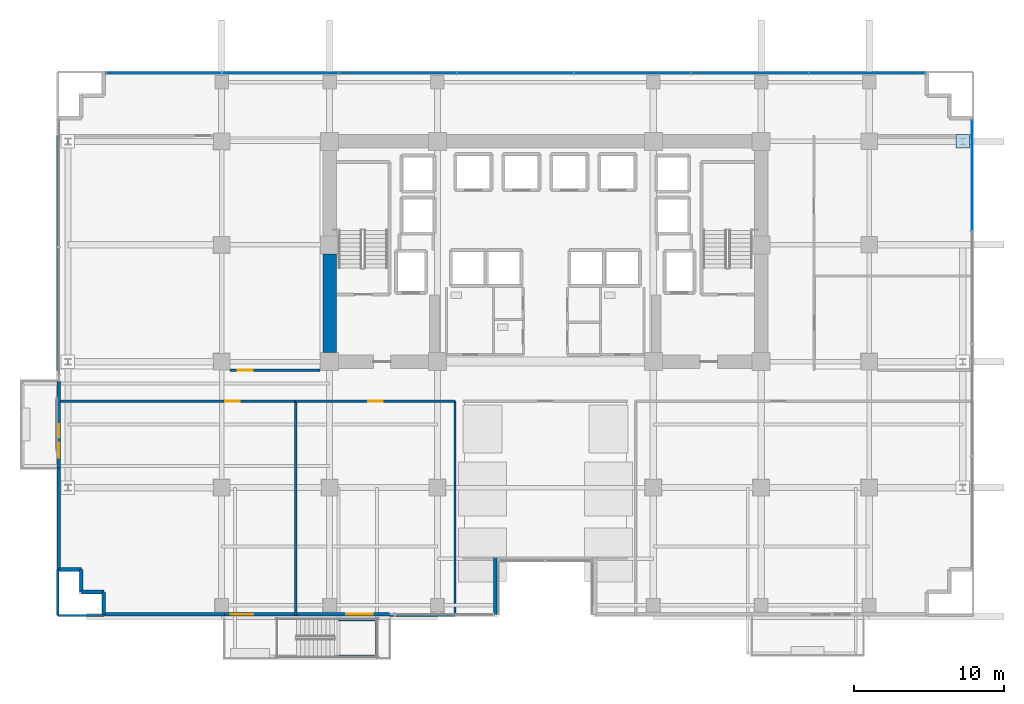
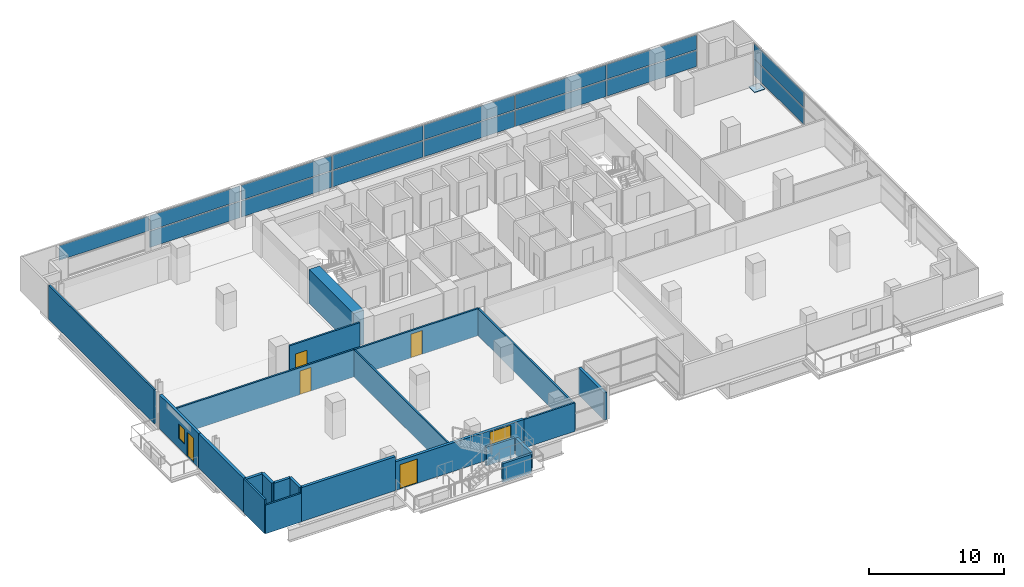
# One storey, part 24 of 32: 22 walls, 16 plates, 5 doors, 2 windows, 7 openings, 2 elements without a shape of their own.
"""IFC4 building model written with IfcOpenShell, lengths in metres."""

from ifc_helpers import new_model, si_unit, direction, frame, frame_2d, origin, origin_2d, place, context, subcontext, project, spatial, rectangle, extrude, source, transform, mapped, material, layer, layer_set, type_object, element, fill, aggregate, save


model = new_model("IFC4")

# Units and contexts
model_context = context("Model", 3, precision=1e-05, world=origin(), true_north=direction((0.0, 1.0)))
body_context = subcontext(model_context, "Body", "Model", "MODEL_VIEW")
ifc_project = project(units=[si_unit("LENGTHUNIT", "METRE"), si_unit("AREAUNIT", "SQUARE_METRE"), si_unit("VOLUMEUNIT", "CUBIC_METRE"), si_unit("PLANEANGLEUNIT", "RADIAN"), si_unit("MASSUNIT", "GRAM", prefix="KILO")], contexts=[model_context])

# Site, building, storey
site_placement = place(None, origin())
site = spatial("IfcSite", under=ifc_project, at=site_placement, CompositionType="ELEMENT")
building_placement = place(site_placement, origin())
building = spatial("IfcBuilding", under=site, at=building_placement, Name="Zarnakvel Exchange Tower", CompositionType="ELEMENT")
storey_placement = place(building_placement, frame((0.0, 0.0, 27.39990234375)))
storey = spatial("IfcBuildingStorey", under=building, at=storey_placement, Name="L06", CompositionType="ELEMENT", Elevation=27.39990234375)

# Plate
ifc_material_1 = material(Name="Steel S355", Category="steel")
ifc_layer_1 = layer(ifc_material_1, 0.0380859375)
ifc_layer_set_1 = layer_set([ifc_layer_1], Name="Steel S355")
plate_type_1 = type_object("IfcPlateType", Name="BP-03", PredefinedType="USERDEFINED", material=ifc_layer_set_1)
shared_shape_1 = source(origin(), body_context, "Body", "SweptSolid", [
    extrude(rectangle(XDim=0.89990234375, YDim=0.89990234375, at=origin_2d()), origin(), (0.0, 0.0, 1.0), 0.0380859375),
])
plate_1_placement = place(storey_placement, frame((27.85009765625, 13.5, 0.0), z_axis=(0.0, 0.0, 1.0), x_axis=(1.0, 0.0, 0.0)))
element("IfcPlate", 1, at=plate_1_placement, inside=storey, type_object=plate_type_1, Name="L06 Column Base Plate TE-F", ObjectType="BASE_PLATE", PredefinedType="USERDEFINED", context=body_context, shape_type="MappedRepresentation", body=[
    mapped(shared_shape_1, transform((0.0, 0.0, 0.0), x_axis=(1.0, 0.0, 0.0), y_axis=(0.0, 1.0, 0.0), z_axis=(0.0, 0.0, 1.0), scale=1.0)),
])

# Curtain wall, plates
ifc_material_2 = material(Name="Architectural Bronze Anodised Aluminium", Category="aluminium")
ifc_layer_2 = layer(ifc_material_2, 0.239990234375)
ifc_layer_set_2 = layer_set([ifc_layer_2], Name="Architectural Bronze Anodised Aluminium")
curtain_wall_type_1 = type_object("IfcCurtainWallType", Name="CW-02", PredefinedType="NOTDEFINED", material=ifc_layer_set_2)
curtain_wall_1_placement = place(storey_placement, origin())
curtain_wall_1 = element("IfcCurtainWall", 2, at=curtain_wall_1_placement, inside=storey, type_object=curtain_wall_type_1, Name="L06 Curtain Wall CW-L06-N1 (CW-02)", PredefinedType="NOTDEFINED")
ifc_material_3 = material(Name="Double Low-E Laminated Vision Glass", Category="glass")
ifc_layer_3 = layer(ifc_material_3, 0.031982421875)
ifc_layer_set_3 = layer_set([ifc_layer_3], Name="Double Low-E Laminated Vision Glass")
plate_type_2 = type_object("IfcPlateType", Name="CWP-02", PredefinedType="CURTAIN_PANEL", material=ifc_layer_set_3)
shared_shape_2 = source(origin(), body_context, "Body", "SweptSolid", [
    extrude(rectangle(XDim=7.693603515625, YDim=0.031982421875, at=origin_2d()), origin(), (0.0, 0.0, 1.0), 1.461181640625),
])
plate_2_placement = place(storey_placement, frame((21.463134765625, 18.06005859375, 0.0849609375), z_axis=(0.0, 0.0, 1.0), x_axis=(1.0, 0.0, 0.0)))
plate_2 = element("IfcPlate", 3, at=plate_2_placement, type_object=plate_type_2, Name="CW-02 panel 7.1", PredefinedType="CURTAIN_PANEL", context=body_context, shape_type="MappedRepresentation", body=[
    mapped(shared_shape_2, transform((0.0, 0.0, 0.0), x_axis=(1.0, 0.0, 0.0), y_axis=(0.0, 1.0, 0.0), z_axis=(0.0, 0.0, 1.0), scale=1.0)),
])
shared_shape_3 = source(origin(), body_context, "Body", "SweptSolid", [
    extrude(rectangle(XDim=7.693603515625, YDim=0.031982421875, at=origin_2d()), origin(), (0.0, 0.0, 1.0), 1.3388671875),
])
plate_3_placement = place(storey_placement, frame((-25.463134765625, 18.06005859375, 1.631103515625), z_axis=(0.0, 0.0, 1.0), x_axis=(1.0, 0.0, 0.0)))
plate_3 = element("IfcPlate", 4, at=plate_3_placement, type_object=plate_type_2, Name="CW-02 panel 1.2", PredefinedType="CURTAIN_PANEL", context=body_context, shape_type="MappedRepresentation", body=[
    mapped(shared_shape_3, transform((0.0, 0.0, 0.0), x_axis=(1.0, 0.0, 0.0), y_axis=(0.0, 1.0, 0.0), z_axis=(0.0, 0.0, 1.0), scale=1.0)),
])
plate_4_placement = place(storey_placement, frame((21.463134765625, 18.06005859375, 1.631103515625), z_axis=(0.0, 0.0, 1.0), x_axis=(1.0, 0.0, 0.0)))
plate_4 = element("IfcPlate", 5, at=plate_4_placement, type_object=plate_type_2, Name="CW-02 panel 7.2", PredefinedType="CURTAIN_PANEL", context=body_context, shape_type="MappedRepresentation", body=[
    mapped(shared_shape_3, transform((0.0, 0.0, 0.0), x_axis=(1.0, 0.0, 0.0), y_axis=(0.0, 1.0, 0.0), z_axis=(0.0, 0.0, 1.0), scale=1.0)),
])
shared_shape_4 = source(origin(), body_context, "Body", "SweptSolid", [
    extrude(rectangle(XDim=7.738525390625, YDim=0.031982421875, at=origin_2d()), origin(), (0.0, 0.0, 1.0), 1.461181640625),
])
plate_5_placement = place(storey_placement, frame((-17.6572265625, 18.06005859375, 0.0849609375), z_axis=(0.0, 0.0, 1.0), x_axis=(1.0, 0.0, 0.0)))
plate_5 = element("IfcPlate", 6, at=plate_5_placement, type_object=plate_type_2, Name="CW-02 panel 2.1", PredefinedType="CURTAIN_PANEL", context=body_context, shape_type="MappedRepresentation", body=[
    mapped(shared_shape_4, transform((0.0, 0.0, 0.0), x_axis=(1.0, 0.0, 0.0), y_axis=(0.0, 1.0, 0.0), z_axis=(0.0, 0.0, 1.0), scale=1.0)),
])
plate_6_placement = place(storey_placement, frame((-9.82861328125, 18.06005859375, 0.0849609375), z_axis=(0.0, 0.0, 1.0), x_axis=(1.0, 0.0, 0.0)))
plate_6 = element("IfcPlate", 7, at=plate_6_placement, type_object=plate_type_2, Name="CW-02 panel 3.1", PredefinedType="CURTAIN_PANEL", context=body_context, shape_type="MappedRepresentation", body=[
    mapped(shared_shape_4, transform((0.0, 0.0, 0.0), x_axis=(1.0, 0.0, 0.0), y_axis=(0.0, 1.0, 0.0), z_axis=(0.0, 0.0, 1.0), scale=1.0)),
])
plate_7_placement = place(storey_placement, frame((-2.0, 18.06005859375, 0.0849609375), z_axis=(0.0, 0.0, 1.0), x_axis=(1.0, 0.0, 0.0)))
plate_7 = element("IfcPlate", 8, at=plate_7_placement, type_object=plate_type_2, Name="CW-02 panel 4.1", PredefinedType="CURTAIN_PANEL", context=body_context, shape_type="MappedRepresentation", body=[
    mapped(shared_shape_4, transform((0.0, 0.0, 0.0), x_axis=(1.0, 0.0, 0.0), y_axis=(0.0, 1.0, 0.0), z_axis=(0.0, 0.0, 1.0), scale=1.0)),
])
plate_8_placement = place(storey_placement, frame((5.82861328125, 18.06005859375, 0.0849609375), z_axis=(0.0, 0.0, 1.0), x_axis=(1.0, 0.0, 0.0)))
plate_8 = element("IfcPlate", 9, at=plate_8_placement, type_object=plate_type_2, Name="CW-02 panel 5.1", PredefinedType="CURTAIN_PANEL", context=body_context, shape_type="MappedRepresentation", body=[
    mapped(shared_shape_4, transform((0.0, 0.0, 0.0), x_axis=(1.0, 0.0, 0.0), y_axis=(0.0, 1.0, 0.0), z_axis=(0.0, 0.0, 1.0), scale=1.0)),
])
plate_9_placement = place(storey_placement, frame((13.6572265625, 18.06005859375, 0.0849609375), z_axis=(0.0, 0.0, 1.0), x_axis=(1.0, 0.0, 0.0)))
plate_9 = element("IfcPlate", 10, at=plate_9_placement, type_object=plate_type_2, Name="CW-02 panel 6.1", PredefinedType="CURTAIN_PANEL", context=body_context, shape_type="MappedRepresentation", body=[
    mapped(shared_shape_4, transform((0.0, 0.0, 0.0), x_axis=(1.0, 0.0, 0.0), y_axis=(0.0, 1.0, 0.0), z_axis=(0.0, 0.0, 1.0), scale=1.0)),
])
shared_shape_5 = source(origin(), body_context, "Body", "SweptSolid", [
    extrude(rectangle(XDim=7.738525390625, YDim=0.031982421875, at=origin_2d()), origin(), (0.0, 0.0, 1.0), 1.3388671875),
])
plate_10_placement = place(storey_placement, frame((-17.6572265625, 18.06005859375, 1.631103515625), z_axis=(0.0, 0.0, 1.0), x_axis=(1.0, 0.0, 0.0)))
plate_10 = element("IfcPlate", 11, at=plate_10_placement, type_object=plate_type_2, Name="CW-02 panel 2.2", PredefinedType="CURTAIN_PANEL", context=body_context, shape_type="MappedRepresentation", body=[
    mapped(shared_shape_5, transform((0.0, 0.0, 0.0), x_axis=(1.0, 0.0, 0.0), y_axis=(0.0, 1.0, 0.0), z_axis=(0.0, 0.0, 1.0), scale=1.0)),
])
plate_11_placement = place(storey_placement, frame((-9.82861328125, 18.06005859375, 1.631103515625), z_axis=(0.0, 0.0, 1.0), x_axis=(1.0, 0.0, 0.0)))
plate_11 = element("IfcPlate", 12, at=plate_11_placement, type_object=plate_type_2, Name="CW-02 panel 3.2", PredefinedType="CURTAIN_PANEL", context=body_context, shape_type="MappedRepresentation", body=[
    mapped(shared_shape_5, transform((0.0, 0.0, 0.0), x_axis=(1.0, 0.0, 0.0), y_axis=(0.0, 1.0, 0.0), z_axis=(0.0, 0.0, 1.0), scale=1.0)),
])
plate_12_placement = place(storey_placement, frame((-2.0, 18.06005859375, 1.631103515625), z_axis=(0.0, 0.0, 1.0), x_axis=(1.0, 0.0, 0.0)))
plate_12 = element("IfcPlate", 13, at=plate_12_placement, type_object=plate_type_2, Name="CW-02 panel 4.2", PredefinedType="CURTAIN_PANEL", context=body_context, shape_type="MappedRepresentation", body=[
    mapped(shared_shape_5, transform((0.0, 0.0, 0.0), x_axis=(1.0, 0.0, 0.0), y_axis=(0.0, 1.0, 0.0), z_axis=(0.0, 0.0, 1.0), scale=1.0)),
])
plate_13_placement = place(storey_placement, frame((5.82861328125, 18.06005859375, 1.631103515625), z_axis=(0.0, 0.0, 1.0), x_axis=(1.0, 0.0, 0.0)))
plate_13 = element("IfcPlate", 14, at=plate_13_placement, type_object=plate_type_2, Name="CW-02 panel 5.2", PredefinedType="CURTAIN_PANEL", context=body_context, shape_type="MappedRepresentation", body=[
    mapped(shared_shape_5, transform((0.0, 0.0, 0.0), x_axis=(1.0, 0.0, 0.0), y_axis=(0.0, 1.0, 0.0), z_axis=(0.0, 0.0, 1.0), scale=1.0)),
])
plate_14_placement = place(storey_placement, frame((13.6572265625, 18.06005859375, 1.631103515625), z_axis=(0.0, 0.0, 1.0), x_axis=(1.0, 0.0, 0.0)))
plate_14 = element("IfcPlate", 15, at=plate_14_placement, type_object=plate_type_2, Name="CW-02 panel 6.2", PredefinedType="CURTAIN_PANEL", context=body_context, shape_type="MappedRepresentation", body=[
    mapped(shared_shape_5, transform((0.0, 0.0, 0.0), x_axis=(1.0, 0.0, 0.0), y_axis=(0.0, 1.0, 0.0), z_axis=(0.0, 0.0, 1.0), scale=1.0)),
])
aggregate(curtain_wall_1, [plate_3, plate_5, plate_10, plate_6, plate_11, plate_7, plate_12, plate_8, plate_13, plate_9, plate_14, plate_2, plate_4])

ifc_layer_4 = layer(ifc_material_2, 0.199951171875)
ifc_layer_set_4 = layer_set([ifc_layer_4], Name="Architectural Bronze Anodised Aluminium")
curtain_wall_type_2 = type_object("IfcCurtainWallType", Name="CW-04", PredefinedType="NOTDEFINED", material=ifc_layer_set_4)
curtain_wall_2_placement = place(storey_placement, origin())
curtain_wall_2 = element("IfcCurtainWall", 16, at=curtain_wall_2_placement, inside=storey, type_object=curtain_wall_type_2, Name="L06 Curtain Wall CW-L06-E1 (CW-04)", PredefinedType="NOTDEFINED")
ifc_layer_5 = layer(ifc_material_3, 0.028076171875)
ifc_layer_set_5 = layer_set([ifc_layer_5], Name="Double Low-E Laminated Vision Glass")
plate_type_3 = type_object("IfcPlateType", Name="CWP-04", PredefinedType="CURTAIN_PANEL", material=ifc_layer_set_5)
shared_shape_6 = source(origin(), body_context, "Body", "SweptSolid", [
    extrude(rectangle(XDim=7.387451171875, YDim=0.028076171875, at=origin_2d()), origin(), (0.0, 0.0, 1.0), 1.47607421875),
])
plate_15_placement = place(storey_placement, frame((28.4599609375, 11.231201171875, 0.0751953125), z_axis=(0.0, 0.0, 1.0), x_axis=(0.0, 1.0, 0.0)))
plate_15 = element("IfcPlate", 17, at=plate_15_placement, type_object=plate_type_3, Name="CW-04 panel 4.1", PredefinedType="CURTAIN_PANEL", context=body_context, shape_type="MappedRepresentation", body=[
    mapped(shared_shape_6, transform((0.0, 0.0, 0.0), x_axis=(1.0, 0.0, 0.0), y_axis=(0.0, 1.0, 0.0), z_axis=(0.0, 0.0, 1.0), scale=1.0)),
])
shared_shape_7 = source(origin(), body_context, "Body", "SweptSolid", [
    extrude(rectangle(XDim=7.387451171875, YDim=0.028076171875, at=origin_2d()), origin(), (0.0, 0.0, 1.0), 1.35400390625),
])
plate_16_placement = place(storey_placement, frame((28.4599609375, 11.231201171875, 1.626220703125), z_axis=(0.0, 0.0, 1.0), x_axis=(0.0, 1.0, 0.0)))
plate_16 = element("IfcPlate", 18, at=plate_16_placement, type_object=plate_type_3, Name="CW-04 panel 4.2", PredefinedType="CURTAIN_PANEL", context=body_context, shape_type="MappedRepresentation", body=[
    mapped(shared_shape_7, transform((0.0, 0.0, 0.0), x_axis=(1.0, 0.0, 0.0), y_axis=(0.0, 1.0, 0.0), z_axis=(0.0, 0.0, 1.0), scale=1.0)),
])
aggregate(curtain_wall_2, [plate_15, plate_16])

# Wall
ifc_material_4 = material(Name="Concrete C80/95", Category="concrete")
ifc_layer_6 = layer(ifc_material_4, 0.89990234375)
ifc_layer_set_6 = layer_set([ifc_layer_6], Name="Concrete C80/95")
wall_type_1 = type_object("IfcWallType", Name="CW-C1", PredefinedType="SHEAR", material=ifc_layer_set_6)
wall_1_placement = place(storey_placement, frame((-14.39990234375, -0.60009765625, 0.0), z_axis=(0.0, 0.0, 1.0), x_axis=(0.0, 1.0, 0.0)))
element("IfcWall", 19, at=wall_1_placement, inside=storey, type_object=wall_type_1, Name="L06 Rear Core Shear Wall W1 (CW-C1)", PredefinedType="SHEAR", context=body_context, shape_type="SweptSolid", body=[
    extrude(rectangle(XDim=6.60009765625, YDim=0.89990234375, at=frame_2d((3.300048828125, 0.0))), origin(), (0.0, 0.0, 1.0), 3.0751953125),
])

# Wall, openings, door, window
ifc_material_5 = material(Name="Precast concrete C40/50", Category="concrete")
ifc_layer_7 = layer(ifc_material_5, 0.239990234375)
ifc_layer_set_7 = layer_set([ifc_layer_7], Name="Precast concrete C40/50")
wall_type_2 = type_object("IfcWallType", Name="EW-02", PredefinedType="SOLIDWALL", material=ifc_layer_set_7)
wall_2_placement = place(storey_placement, frame((-32.4599609375, -8.300048828125, 0.0), z_axis=(0.0, 0.0, 1.0), x_axis=(0.0, 1.0, 0.0)))
wall_2 = element("IfcWall", 20, at=wall_2_placement, inside=storey, type_object=wall_type_2, Name="L06 Exterior Precast Spandrel Wall EW-BAL-L06-W (EW-02)", PredefinedType="SOLIDWALL", context=body_context, shape_type="SweptSolid", body=[
    extrude(rectangle(XDim=5.800048828125, YDim=0.239990234375, at=frame_2d((2.89990234375, 0.0))), origin(), (0.0, 0.0, 1.0), 3.0751953125),
])
opening_1_placement = place(wall_2_placement, frame((0.696044921875, 0.0, 0.0)))
opening_1 = element("IfcOpeningElement", 21, at=opening_1_placement, cuts=wall_2, Name="Opening BD-L06-02", PredefinedType="OPENING", context=body_context, shape_type="SweptSolid", body=[
    extrude(rectangle(XDim=1.0, YDim=2.199951171875, at=frame_2d((0.5, 1.10009765625))), frame((0.0, 0.1298828125, 0.0), z_axis=(0.0, -1.0, 0.0), x_axis=(1.0, 0.0, 0.0)), (0.0, 0.0, 1.0), 0.260009765625),
])
opening_2_placement = place(wall_2_placement, frame((2.0458984375, 0.0, 0.85009765625)))
opening_2 = element("IfcOpeningElement", 22, at=opening_2_placement, cuts=wall_2, Name="Opening WN-06", PredefinedType="OPENING", context=body_context, shape_type="SweptSolid", body=[
    extrude(rectangle(XDim=0.89990234375, YDim=1.35009765625, at=frame_2d((0.449951171875, 0.675048828125))), frame((0.0, 0.1298828125, 0.0), z_axis=(0.0, -1.0, 0.0), x_axis=(1.0, 0.0, 0.0)), (0.0, 0.0, 1.0), 0.260009765625),
])
door_type_1 = type_object("IfcDoorType", Name="DT-09", OperationType="NOTDEFINED", PredefinedType="DOOR", material=ifc_material_2)
shared_shape_8 = source(origin(), body_context, "Body", "SweptSolid", [
    extrude(rectangle(XDim=1.0, YDim=2.199951171875, at=frame_2d((0.5, 1.10009765625))), frame((0.0, 0.02490234375, 0.0), z_axis=(0.0, -1.0, 0.0), x_axis=(1.0, 0.0, 0.0)), (0.0, 0.0, 1.0), 0.050048828125),
])
door_1_placement = place(opening_1_placement, origin())
door_1 = element("IfcDoor", 23, at=door_1_placement, inside=storey, type_object=door_type_1, Name="L06 Planted Loggia Balcony Door BD-L06-02", OperationType="SINGLE_SWING_LEFT", OverallHeight=2.199951171875, OverallWidth=1.0, PredefinedType="DOOR", context=body_context, shape_type="MappedRepresentation", body=[
    mapped(shared_shape_8, transform((0.0, 0.0, 0.0), x_axis=(1.0, 0.0, 0.0), y_axis=(0.0, 1.0, 0.0), z_axis=(0.0, 0.0, 1.0), scale=1.0)),
])
fill(opening_1, door_1)
window_type_1 = type_object("IfcWindowType", Name="WN-06", PartitioningType="SINGLE_PANEL", PredefinedType="WINDOW", material=ifc_material_3)
shared_shape_9 = source(origin(), body_context, "Body", "SweptSolid", [
    extrude(rectangle(XDim=0.89990234375, YDim=1.35009765625, at=frame_2d((0.449951171875, 0.675048828125))), frame((0.0, 0.030029296875, 0.0), z_axis=(0.0, -1.0, 0.0), x_axis=(1.0, 0.0, 0.0)), (0.0, 0.0, 1.0), 0.06005859375),
])
window_1_placement = place(opening_2_placement, origin())
window_1 = element("IfcWindow", 24, at=window_1_placement, inside=storey, type_object=window_type_1, Name="L06 Loggia Daylight Window (WN-06)", OverallHeight=1.35009765625, OverallWidth=0.89990234375, PartitioningType="SINGLE_PANEL", PredefinedType="WINDOW", context=body_context, shape_type="MappedRepresentation", body=[
    mapped(shared_shape_9, transform((0.0, 0.0, 0.0), x_axis=(1.0, 0.0, 0.0), y_axis=(0.0, 1.0, 0.0), z_axis=(0.0, 0.0, 1.0), scale=1.0)),
])
fill(opening_2, window_1)

wall_3_placement = place(storey_placement, frame((-10.39990234375, -18.06005859375, 0.0), z_axis=(0.0, 0.0, 1.0), x_axis=(-1.0, 0.0, 0.0)))
wall_3 = element("IfcWall", 25, at=wall_3_placement, inside=storey, type_object=wall_type_2, Name="L06 Exterior Precast Spandrel Wall EW-SPTER-L06 (EW-02)", PredefinedType="SOLIDWALL", context=body_context, shape_type="SweptSolid", body=[
    extrude(rectangle(XDim=11.0, YDim=0.239990234375, at=frame_2d((5.5, 0.0))), origin(), (0.0, 0.0, 1.0), 2.590087890625),
])
opening_3_placement = place(wall_3_placement, frame((9.10009765625, 0.0, 0.0)))
opening_3 = element("IfcOpeningElement", 26, at=opening_3_placement, cuts=wall_3, Name="Opening TD-L06-SP", PredefinedType="OPENING", context=body_context, shape_type="SweptSolid", body=[
    extrude(rectangle(XDim=1.5, YDim=2.199951171875, at=frame_2d((0.75, 1.10009765625))), frame((0.0, 0.1298828125, 0.0), z_axis=(0.0, -1.0, 0.0), x_axis=(1.0, 0.0, 0.0)), (0.0, 0.0, 1.0), 0.260009765625),
])
opening_4_placement = place(wall_3_placement, frame((1.10009765625, 0.0, 0.85009765625)))
opening_4 = element("IfcOpeningElement", 27, at=opening_4_placement, cuts=wall_3, Name="Opening WN-05", PredefinedType="OPENING", context=body_context, shape_type="SweptSolid", body=[
    extrude(rectangle(XDim=1.800048828125, YDim=1.60009765625, at=frame_2d((0.89990234375, 0.800048828125))), frame((0.0, 0.1298828125, 0.0), z_axis=(0.0, -1.0, 0.0), x_axis=(1.0, 0.0, 0.0)), (0.0, 0.0, 1.0), 0.260009765625),
])
door_type_2 = type_object("IfcDoorType", Name="DT-10", OperationType="NOTDEFINED", PredefinedType="DOOR", material=ifc_material_2)
shared_shape_10 = source(origin(), body_context, "Body", "SweptSolid", [
    extrude(rectangle(XDim=1.5, YDim=2.199951171875, at=frame_2d((0.75, 1.10009765625))), frame((0.0, 0.02490234375, 0.0), z_axis=(0.0, -1.0, 0.0), x_axis=(1.0, 0.0, 0.0)), (0.0, 0.0, 1.0), 0.050048828125),
])
door_2_placement = place(opening_3_placement, origin())
door_2 = element("IfcDoor", 28, at=door_2_placement, inside=storey, type_object=door_type_2, Name="L06 Spiral Sky-Terrace Access Door TD-L06-SP", OperationType="DOUBLE_DOOR_SINGLE_SWING", OverallHeight=2.199951171875, OverallWidth=1.5, PredefinedType="DOOR", context=body_context, shape_type="MappedRepresentation", body=[
    mapped(shared_shape_10, transform((0.0, 0.0, 0.0), x_axis=(1.0, 0.0, 0.0), y_axis=(0.0, 1.0, 0.0), z_axis=(0.0, 0.0, 1.0), scale=1.0)),
])
fill(opening_3, door_2)
window_type_2 = type_object("IfcWindowType", Name="WN-05", PartitioningType="SINGLE_PANEL", PredefinedType="WINDOW", material=ifc_material_3)
shared_shape_11 = source(origin(), body_context, "Body", "SweptSolid", [
    extrude(rectangle(XDim=1.800048828125, YDim=1.60009765625, at=frame_2d((0.89990234375, 0.800048828125))), frame((0.0, 0.030029296875, 0.0), z_axis=(0.0, -1.0, 0.0), x_axis=(1.0, 0.0, 0.0)), (0.0, 0.0, 1.0), 0.06005859375),
])
window_2_placement = place(opening_4_placement, origin())
window_2 = element("IfcWindow", 29, at=window_2_placement, inside=storey, type_object=window_type_2, Name="L06 Spiral Sky-Terrace Lounge Window", OverallHeight=1.60009765625, OverallWidth=1.800048828125, PartitioningType="SINGLE_PANEL", PredefinedType="WINDOW", context=body_context, shape_type="MappedRepresentation", body=[
    mapped(shared_shape_11, transform((0.0, 0.0, 0.0), x_axis=(1.0, 0.0, 0.0), y_axis=(0.0, 1.0, 0.0), z_axis=(0.0, 0.0, 1.0), scale=1.0)),
])
fill(opening_4, window_2)

# Walls
wall_4_placement = place(storey_placement, frame((-32.4599609375, -8.300048828125, 0.0), z_axis=(0.0, 0.0, 1.0), x_axis=(0.0, -1.0, 0.0)))
element("IfcWall", 30, at=wall_4_placement, inside=storey, type_object=wall_type_2, Name="L06 Exterior Precast Spandrel Wall EWC-L06-01 (EW-02)", PredefinedType="SOLIDWALL", context=body_context, shape_type="SweptSolid", body=[
    extrude(rectangle(XDim=6.760009765625, YDim=0.239990234375, at=frame_2d((3.3798828125, 0.0))), origin(), (0.0, 0.0, 1.0), 3.0751953125),
])
wall_5_placement = place(storey_placement, frame((-3.340087890625, -18.06005859375, 0.0), z_axis=(0.0, 0.0, 1.0), x_axis=(0.0, 1.0, 0.0)))
element("IfcWall", 31, at=wall_5_placement, inside=storey, type_object=wall_type_2, Name="L06 Exterior Precast Spandrel Wall EWC-L06-20 (EW-02)", PredefinedType="SOLIDWALL", context=body_context, shape_type="SweptSolid", body=[
    extrude(rectangle(XDim=3.800048828125, YDim=0.239990234375, at=frame_2d((1.89990234375, 0.0))), origin(), (0.0, 0.0, 1.0), 2.465087890625),
])
wall_6_placement = place(storey_placement, frame((-29.4599609375, -18.06005859375, 0.0), z_axis=(0.0, 0.0, 1.0), x_axis=(1.0, 0.0, 0.0)))
element("IfcWall", 32, at=wall_6_placement, inside=storey, type_object=wall_type_2, Name="L06 Exterior Precast Spandrel Wall EWC-L06-22 (EW-02)", PredefinedType="SOLIDWALL", context=body_context, shape_type="SweptSolid", body=[
    extrude(rectangle(XDim=8.06005859375, YDim=0.239990234375, at=frame_2d((4.030029296875, 0.0))), origin(), (0.0, 0.0, 1.0), 3.0751953125),
])
for number, where, z_axis, x_axis, name in (
    (33, (-29.4599609375, -16.56005859375, 0.0), (0.0, 0.0, 1.0), (0.0, -1.0, 0.0), "L06 Exterior Precast Spandrel Wall EWC-L06-23 (EW-02)"),
    (34, (-30.9599609375, -16.56005859375, 0.0), (0.0, 0.0, 1.0), (1.0, 0.0, 0.0), "L06 Exterior Precast Spandrel Wall EWC-L06-24 (EW-02)"),
    (35, (-30.9599609375, -15.06005859375, 0.0), (0.0, 0.0, 1.0), (0.0, -1.0, 0.0), "L06 Exterior Precast Spandrel Wall EWC-L06-25 (EW-02)"),
    (36, (-32.4599609375, -15.06005859375, 0.0), (0.0, 0.0, 1.0), (1.0, 0.0, 0.0), "L06 Exterior Precast Spandrel Wall EWC-L06-26 (EW-02)"),
):
    element("IfcWall", number, at=place(storey_placement, frame(where, z_axis=z_axis, x_axis=x_axis)), inside=storey, type_object=wall_type_2, Name=name, PredefinedType="SOLIDWALL", context=body_context, shape_type="SweptSolid", body=[
        extrude(rectangle(XDim=1.5, YDim=0.239990234375, at=frame_2d((0.75, 0.0))), origin(), (0.0, 0.0, 1.0), 3.0751953125),
    ])
ifc_material_6 = material(Name="Fire-Rated Gypsum Stud Partition", Category="gypsum")
ifc_layer_8 = layer(ifc_material_6, 0.14990234375)
ifc_layer_set_8 = layer_set([ifc_layer_8], Name="Fire-Rated Gypsum Stud Partition")
wall_type_3 = type_object("IfcWallType", Name="PT-01", PredefinedType="PARTITIONING", material=ifc_layer_set_8)
wall_7_placement = place(storey_placement, frame((-29.4599609375, -18.1298828125, 0.0), z_axis=(0.0, 0.0, 1.0), x_axis=(-1.0, 0.0, 0.0)))
element("IfcWall", 37, at=wall_7_placement, inside=storey, type_object=wall_type_3, Name="L06 Partition Wall PWALL-L06-026 (PT-01)", PredefinedType="PARTITIONING", context=body_context, shape_type="SweptSolid", body=[
    extrude(rectangle(XDim=3.070068359375, YDim=0.14990234375, at=frame_2d((1.53515625, 0.0))), origin(), (0.0, 0.0, 1.0), 2.590087890625),
])

# Wall, opening, door
wall_8_placement = place(storey_placement, frame((-32.530029296875, -3.830078125, 0.0), z_axis=(0.0, 0.0, 1.0), x_axis=(1.0, 0.0, 0.0)))
wall_8 = element("IfcWall", 38, at=wall_8_placement, inside=storey, type_object=wall_type_3, Name="L06 Partition Wall PWALL-L06-027 (PT-01)", PredefinedType="PARTITIONING", context=body_context, shape_type="SweptSolid", body=[
    extrude(rectangle(XDim=15.8740234375, YDim=0.14990234375, at=frame_2d((7.93701171875, 0.0))), origin(), (0.0, 0.0, 1.0), 2.465087890625),
])
opening_5_placement = place(wall_8_placement, frame((11.172119140625, 0.0, 0.0)))
opening_5 = element("IfcOpeningElement", 39, at=opening_5_placement, cuts=wall_8, Name="Opening D-L06-11", PredefinedType="OPENING", context=body_context, shape_type="SweptSolid", body=[
    extrude(rectangle(XDim=0.97998046875, YDim=2.14990234375, at=frame_2d((0.489990234375, 1.074951171875))), frame((0.0, 0.0849609375, 0.0), z_axis=(0.0, -1.0, 0.0), x_axis=(1.0, 0.0, 0.0)), (0.0, 0.0, 1.0), 0.169921875),
])
ifc_material_7 = material(Name="Timber Acoustic Veneer", Category="wood")
door_type_3 = type_object("IfcDoorType", Name="DT-05", OperationType="NOTDEFINED", PredefinedType="DOOR", material=ifc_material_7)
shared_shape_12 = source(origin(), body_context, "Body", "SweptSolid", [
    extrude(rectangle(XDim=0.97998046875, YDim=2.14990234375, at=frame_2d((0.489990234375, 1.074951171875))), frame((0.0, 0.02490234375, 0.0), z_axis=(0.0, -1.0, 0.0), x_axis=(1.0, 0.0, 0.0)), (0.0, 0.0, 1.0), 0.050048828125),
])
door_3_placement = place(opening_5_placement, origin())
door_3 = element("IfcDoor", 40, at=door_3_placement, inside=storey, type_object=door_type_3, Name="L06 Electronic Trading Hall Door D-L06-11", OperationType="SINGLE_SWING_RIGHT", OverallHeight=2.14990234375, OverallWidth=0.97998046875, PredefinedType="DOOR", context=body_context, shape_type="MappedRepresentation", body=[
    mapped(shared_shape_12, transform((0.0, 0.0, 0.0), x_axis=(1.0, 0.0, 0.0), y_axis=(0.0, 1.0, 0.0), z_axis=(0.0, 0.0, 1.0), scale=1.0)),
])
fill(opening_5, door_3)

# Walls
wall_9_placement = place(storey_placement, frame((-32.530029296875, -18.1298828125, 0.0), z_axis=(0.0, 0.0, 1.0), x_axis=(0.0, 1.0, 0.0)))
element("IfcWall", 41, at=wall_9_placement, inside=storey, type_object=wall_type_3, Name="L06 Partition Wall PWALL-L06-028 (PT-01)", PredefinedType="PARTITIONING", context=body_context, shape_type="SweptSolid", body=[
    extrude(rectangle(XDim=3.06982421875, YDim=0.14990234375, at=frame_2d((1.534912109375, 0.0))), origin(), (0.0, 0.0, 1.0), 3.0751953125),
])
wall_10_placement = place(storey_placement, frame((-16.656005859375, -3.830078125, 0.0), z_axis=(0.0, 0.0, 1.0), x_axis=(0.0, -1.0, 0.0)))
element("IfcWall", 42, at=wall_10_placement, inside=storey, type_object=wall_type_3, Name="L06 Partition Wall PWALL-L06-029 (PT-01)", PredefinedType="PARTITIONING", context=body_context, shape_type="SweptSolid", body=[
    extrude(rectangle(XDim=14.2998046875, YDim=0.14990234375, at=frame_2d((7.14990234375, 0.0))), origin(), (0.0, 0.0, 1.0), 2.465087890625),
])
wall_11_placement = place(storey_placement, frame((-6.02001953125, -18.1298828125, 0.0), z_axis=(0.0, 0.0, 1.0), x_axis=(-1.0, 0.0, 0.0)))
element("IfcWall", 43, at=wall_11_placement, inside=storey, type_object=wall_type_3, Name="L06 Partition Wall PWALL-L06-031 (PT-01)", PredefinedType="PARTITIONING", context=body_context, shape_type="SweptSolid", body=[
    extrude(rectangle(XDim=4.3798828125, YDim=0.14990234375, at=frame_2d((2.18994140625, 0.0))), origin(), (0.0, 0.0, 1.0), 2.590087890625),
])

# Wall, opening, door
wall_12_placement = place(storey_placement, frame((-16.656005859375, -3.830078125, 0.0), z_axis=(0.0, 0.0, 1.0), x_axis=(1.0, 0.0, 0.0)))
wall_12 = element("IfcWall", 44, at=wall_12_placement, inside=storey, type_object=wall_type_3, Name="L06 Partition Wall PWALL-L06-032 (PT-01)", PredefinedType="PARTITIONING", context=body_context, shape_type="SweptSolid", body=[
    extrude(rectangle(XDim=10.635986328125, YDim=0.14990234375, at=frame_2d((5.31787109375, 0.0))), origin(), (0.0, 0.0, 1.0), 2.465087890625),
])
opening_6_placement = place(wall_12_placement, frame((4.827880859375, 0.0, 0.0)))
opening_6 = element("IfcOpeningElement", 45, at=opening_6_placement, cuts=wall_12, Name="Opening D-L06-12", PredefinedType="OPENING", context=body_context, shape_type="SweptSolid", body=[
    extrude(rectangle(XDim=0.97998046875, YDim=2.14990234375, at=frame_2d((0.489990234375, 1.074951171875))), frame((0.0, 0.0849609375, 0.0), z_axis=(0.0, -1.0, 0.0), x_axis=(1.0, 0.0, 0.0)), (0.0, 0.0, 1.0), 0.169921875),
])
door_4_placement = place(opening_6_placement, origin())
door_4 = element("IfcDoor", 46, at=door_4_placement, inside=storey, type_object=door_type_3, Name="L06 Brokerage Workspace Door D-L06-12", OperationType="SINGLE_SWING_LEFT", OverallHeight=2.14990234375, OverallWidth=0.97998046875, PredefinedType="DOOR", context=body_context, shape_type="MappedRepresentation", body=[
    mapped(shared_shape_12, transform((0.0, 0.0, 0.0), x_axis=(1.0, 0.0, 0.0), y_axis=(0.0, 1.0, 0.0), z_axis=(0.0, 0.0, 1.0), scale=1.0)),
])
fill(opening_6, door_4)

# Wall
wall_13_placement = place(storey_placement, frame((-6.02001953125, -3.830078125, 0.0), z_axis=(0.0, 0.0, 1.0), x_axis=(0.0, -1.0, 0.0)))
element("IfcWall", 47, at=wall_13_placement, inside=storey, type_object=wall_type_3, Name="L06 Partition Wall PWALL-L06-033 (PT-01)", PredefinedType="PARTITIONING", context=body_context, shape_type="SweptSolid", body=[
    extrude(rectangle(XDim=14.2998046875, YDim=0.14990234375, at=frame_2d((7.14990234375, 0.0))), origin(), (0.0, 0.0, 1.0), 2.465087890625),
])

# Wall, opening, door
wall_14_placement = place(storey_placement, frame((-15.02001953125, -1.77001953125, 0.0), z_axis=(0.0, 0.0, 1.0), x_axis=(-1.0, 0.0, 0.0)))
wall_14 = element("IfcWall", 48, at=wall_14_placement, inside=storey, type_object=wall_type_3, Name="L06 Partition Wall PWALL-L06-040 (PT-01)", PredefinedType="PARTITIONING", context=body_context, shape_type="SweptSolid", body=[
    extrude(rectangle(XDim=6.010009765625, YDim=0.14990234375, at=frame_2d((3.0048828125, 0.0))), origin(), (0.0, 0.0, 1.0), 3.0751953125),
])
opening_7_placement = place(wall_14_placement, frame((4.514892578125, 0.0, 0.0)))
opening_7 = element("IfcOpeningElement", 49, at=opening_7_placement, cuts=wall_14, Name="Opening D-L06-15", PredefinedType="OPENING", context=body_context, shape_type="SweptSolid", body=[
    extrude(rectangle(XDim=0.97998046875, YDim=2.14990234375, at=frame_2d((0.489990234375, 1.074951171875))), frame((0.0, 0.0849609375, 0.0), z_axis=(0.0, -1.0, 0.0), x_axis=(1.0, 0.0, 0.0)), (0.0, 0.0, 1.0), 0.169921875),
])
door_5_placement = place(opening_7_placement, origin())
door_5 = element("IfcDoor", 50, at=door_5_placement, inside=storey, type_object=door_type_3, Name="L06 Boardroom Door D-L06-15", OperationType="SINGLE_SWING_RIGHT", OverallHeight=2.14990234375, OverallWidth=0.97998046875, PredefinedType="DOOR", context=body_context, shape_type="MappedRepresentation", body=[
    mapped(shared_shape_12, transform((0.0, 0.0, 0.0), x_axis=(1.0, 0.0, 0.0), y_axis=(0.0, 1.0, 0.0), z_axis=(0.0, 0.0, 1.0), scale=1.0)),
])
fill(opening_7, door_5)

# Walls
wall_15_placement = place(storey_placement, frame((-32.530029296875, -1.77001953125, 0.0), z_axis=(0.0, 0.0, 1.0), x_axis=(0.0, 1.0, 0.0)))
element("IfcWall", 51, at=wall_15_placement, inside=storey, type_object=wall_type_3, Name="L06 Partition Wall PWALL-L06-042 (PT-01)", PredefinedType="PARTITIONING", context=body_context, shape_type="SweptSolid", body=[
    extrude(rectangle(XDim=15.64990234375, YDim=0.14990234375, at=frame_2d((7.824951171875, 0.0))), origin(), (0.0, 0.0, 1.0), 3.0751953125),
])
ifc_material_8 = material(Name="Concrete C40/50", Category="concrete")
ifc_layer_9 = layer(ifc_material_8, 0.199951171875)
ifc_layer_set_9 = layer_set([ifc_layer_9], Name="Concrete C40/50")
wall_type_4 = type_object("IfcWallType", Name="SW-02", PredefinedType="SOLIDWALL", material=ifc_layer_set_9)
wall_16_placement = place(storey_placement, frame((-11.22998046875, -20.719970703125, -0.25), z_axis=(0.0, 0.0, 1.0), x_axis=(0.0, 1.0, 0.0)))
element("IfcWall", 52, at=wall_16_placement, inside=storey, type_object=wall_type_4, Name="L06 Sky-Terrace Stair ST-07 Landing Plinth Wall E", PredefinedType="SOLIDWALL", context=body_context, shape_type="SweptSolid", body=[
    extrude(rectangle(XDim=2.179931640625, YDim=0.199951171875, at=frame_2d((1.08984375, 0.0))), origin(), (0.0, 0.0, 1.0), 1.7001953125),
])
for number, where, z_axis, x_axis, name in (
    (53, (-13.800048828125, -20.860107421875, -0.25), (0.0, 0.0, 1.0), (1.0, 0.0, 0.0), "L06 Sky-Terrace Stair ST-07 Landing Plinth Wall S"),
    (54, (-13.800048828125, -18.39990234375, -0.25), (0.0, 0.0, 1.0), (1.0, 0.0, 0.0), "L06 Sky-Terrace Stair ST-07 Landing Plinth Wall N"),
):
    element("IfcWall", number, at=place(storey_placement, frame(where, z_axis=z_axis, x_axis=x_axis)), inside=storey, type_object=wall_type_4, Name=name, PredefinedType="SOLIDWALL", context=body_context, shape_type="SweptSolid", body=[
        extrude(rectangle(XDim=2.429931640625, YDim=0.199951171875, at=frame_2d((1.21484375, 0.0))), origin(), (0.0, 0.0, 1.0), 1.7001953125),
    ])

save(model, "model.ifc")
